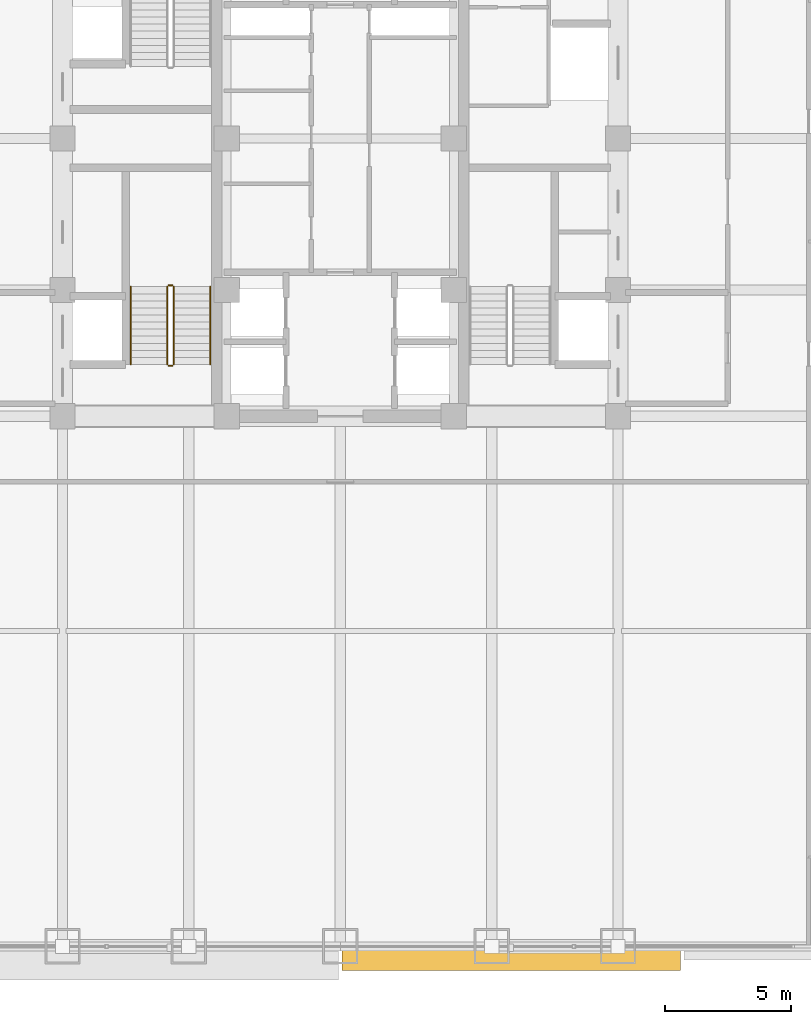
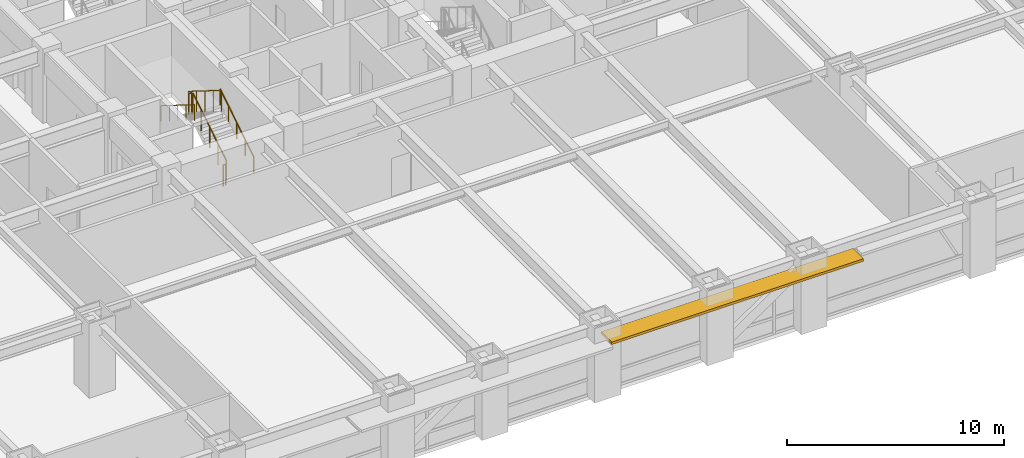
# One storey, part 28 of 31: 6 railings, 1 shading device.
"""IFC4 building model written with IfcOpenShell, lengths in metres."""

from ifc_helpers import new_model, si_unit, direction, frame, origin, origin_2d, place, context, subcontext, project, spatial, rectangle, circle, extrude, source, transform, mapped, material, layer, layer_set, type_object, element, save


model = new_model("IFC4")

# Units and contexts
model_context = context("Model", 3, precision=1e-05, world=origin(), true_north=direction((0.0, 1.0)))
body_context = subcontext(model_context, "Body", "Model", "MODEL_VIEW")
ifc_project = project(units=[si_unit("LENGTHUNIT", "METRE"), si_unit("AREAUNIT", "SQUARE_METRE"), si_unit("VOLUMEUNIT", "CUBIC_METRE"), si_unit("PLANEANGLEUNIT", "RADIAN"), si_unit("MASSUNIT", "GRAM", prefix="KILO")], contexts=[model_context])

# Site, building, storey
site_placement = place(None, origin())
site = spatial("IfcSite", under=ifc_project, at=site_placement, CompositionType="ELEMENT")
building_placement = place(site_placement, origin())
building = spatial("IfcBuilding", under=site, at=building_placement, Name="Khorayat Bourse Tower", CompositionType="ELEMENT")
storey_placement = place(building_placement, frame((0.0, 0.0, 36.800048828125)))
storey = spatial("IfcBuildingStorey", under=building, at=storey_placement, Name="L07", CompositionType="ELEMENT", Elevation=36.800048828125)

# Shading device
ifc_material_1 = material(Name="Precast concrete C45/55", Category="concrete")
ifc_layer = layer(ifc_material_1, 0.139892578125)
ifc_layer_set = layer_set([ifc_layer], Name="Precast concrete C45/55")
shading_device_type = type_object("IfcShadingDeviceType", Name="SHD-WAVE-TRAY-B", PredefinedType="USERDEFINED", material=ifc_layer_set)
shared_shape_1 = source(origin(), body_context, "Body", "SweptSolid", [
    extrude(rectangle(XDim=13.409912109375, YDim=0.976318359375, at=origin_2d()), origin(), (0.0, 0.0, 1.0), 0.139892578125),
])
shading_device_placement = place(storey_placement, frame((6.77490234375, -32.468017578125, 3.18994140625), z_axis=(0.0, 0.0, 1.0), x_axis=(1.0, 0.0, 0.0)))
element("IfcShadingDevice", 1, at=shading_device_placement, inside=storey, type_object=shading_device_type, Name="L07 Sinusoidal Wave Sunshade Tray S-3", ObjectType="SUNSHADE", PredefinedType="USERDEFINED", context=body_context, shape_type="MappedRepresentation", body=[
    mapped(shared_shape_1, transform((0.0, 0.0, 0.0), scale=1.0)),
])

# Railings
ifc_material_2 = material(Name="Powder-coated steel balustrade", Category="steel")
railing_type_1 = type_object("IfcRailingType", Name="RLG-GUARD-1200", PredefinedType="GUARDRAIL", material=ifc_material_2)
shared_shape_2 = source(origin(), body_context, "Body", "SweptSolid", [
    extrude(circle(Radius=0.02392578125, at=origin_2d()), frame((0.0, 0.0, 1.17578125), z_axis=(-1.0, 0.0, 0.0), x_axis=(0.0, -1.0, 0.0)), (0.0, 0.0, 1.0), 0.150146484375),
    extrude(circle(Radius=0.02099609375, at=origin_2d()), origin(), (0.0, 0.0, 1.0), 1.15185546875),
    extrude(circle(Radius=0.02099609375, at=origin_2d()), frame((-0.150146484375, 0.0, 0.0)), (0.0, 0.0, 1.0), 1.15185546875),
])
for number, where, name in (
    (2, (-6.64990234375, -5.820068359375, 2.099853515625), "L07 ST-1 stair guard 2"),
    (3, (-6.64990234375, -9.0, 0.0), "L07 ST-1 stair guard 4"),
):
    element("IfcRailing", number, at=place(storey_placement, frame(where)), inside=storey, type_object=railing_type_1, Name=name, PredefinedType="GUARDRAIL", context=body_context, shape_type="MappedRepresentation", body=[
        mapped(shared_shape_2, transform((0.0, 0.0, 0.0), scale=1.0)),
    ])
shared_shape_3 = source(origin(), body_context, "Body", "SweptSolid", [
    extrude(circle(Radius=0.02392578125, at=origin_2d()), frame((0.0, 0.0, 1.17578125), z_axis=(0.0, -0.847979421464, 0.530029150871), x_axis=(1.0, 0.0, 0.0)), (0.0, 0.0, 1.0), 3.632080078125),
    extrude(circle(Radius=0.02099609375, at=origin_2d()), origin(), (0.0, 0.0, 1.0), 1.15185546875),
    extrude(circle(Radius=0.02099609375, at=origin_2d()), frame((0.0, -0.77001953125, 0.481201171875)), (0.0, 0.0, 1.0), 1.15185546875),
    extrude(circle(Radius=0.02099609375, at=origin_2d()), frame((0.0, -1.5400390625, 0.96240234375)), (0.0, 0.0, 1.0), 1.15185546875),
    extrude(circle(Radius=0.02099609375, at=origin_2d()), frame((0.0, -2.309814453125, 1.44384765625)), (0.0, 0.0, 1.0), 1.15185546875),
    extrude(circle(Radius=0.02099609375, at=origin_2d()), frame((0.0, -3.079833984375, 1.925048828125)), (0.0, 0.0, 1.0), 1.15185546875),
])
railing_1_placement = place(storey_placement, frame((-6.85009765625, -5.8701171875, 2.27490234375)))
element("IfcRailing", 4, at=railing_1_placement, inside=storey, type_object=railing_type_1, Name="L07 ST-1 stair guard 3", PredefinedType="GUARDRAIL", context=body_context, shape_type="MappedRepresentation", body=[
    mapped(shared_shape_3, transform((0.0, 0.0, 0.0), scale=1.0)),
])
ifc_material_3 = material(Name="Brushed bronze stainless-steel handrail", Category="steel")
railing_type_2 = type_object("IfcRailingType", Name="RLG-HAND-900", PredefinedType="HANDRAIL", material=ifc_material_3)
shared_shape_4 = source(origin(), body_context, "Body", "SweptSolid", [
    extrude(circle(Radius=0.02392578125, at=origin_2d()), frame((0.0, 0.0, 0.8759765625), z_axis=(0.0, -0.847979421464, 0.530029150871), x_axis=(1.0, 0.0, 0.0)), (0.0, 0.0, 1.0), 3.632080078125),
    extrude(circle(Radius=0.02099609375, at=origin_2d()), origin(), (0.0, 0.0, 1.0), 0.851806640625),
    extrude(circle(Radius=0.02099609375, at=origin_2d()), frame((0.0, -0.77001953125, 0.481201171875)), (0.0, 0.0, 1.0), 0.851806640625),
    extrude(circle(Radius=0.02099609375, at=origin_2d()), frame((0.0, -1.5400390625, 0.96240234375)), (0.0, 0.0, 1.0), 0.851806640625),
    extrude(circle(Radius=0.02099609375, at=origin_2d()), frame((0.0, -2.309814453125, 1.44384765625)), (0.0, 0.0, 1.0), 0.851806640625),
    extrude(circle(Radius=0.02099609375, at=origin_2d()), frame((0.0, -3.079833984375, 1.925048828125)), (0.0, 0.0, 1.0), 0.851806640625),
])
railing_2_placement = place(storey_placement, frame((-8.300048828125, -5.8701171875, 2.27490234375)))
element("IfcRailing", 5, at=railing_2_placement, inside=storey, type_object=railing_type_2, Name="L07 ST-1 stair handrail 2", PredefinedType="HANDRAIL", context=body_context, shape_type="MappedRepresentation", body=[
    mapped(shared_shape_4, transform((0.0, 0.0, 0.0), scale=1.0)),
])
shared_shape_5 = source(origin(), body_context, "Body", "SweptSolid", [
    extrude(circle(Radius=0.02392578125, at=origin_2d()), frame((0.0, 0.0, 1.17578125), z_axis=(0.0, 0.848009633417, 0.529980812513), x_axis=(-1.0, 0.0, 0.0)), (0.0, 0.0, 1.0), 3.6318359375),
    extrude(circle(Radius=0.02099609375, at=origin_2d()), origin(), (0.0, 0.0, 1.0), 1.15185546875),
    extrude(circle(Radius=0.02099609375, at=origin_2d()), frame((0.0, 0.77001953125, 0.481201171875)), (0.0, 0.0, 1.0), 1.15185546875),
    extrude(circle(Radius=0.02099609375, at=origin_2d()), frame((0.0, 1.5400390625, 0.96240234375)), (0.0, 0.0, 1.0), 1.15185546875),
    extrude(circle(Radius=0.02099609375, at=origin_2d()), frame((0.0, 2.309814453125, 1.443603515625)), (0.0, 0.0, 1.0), 1.15185546875),
    extrude(circle(Radius=0.02099609375, at=origin_2d()), frame((0.0, 3.079833984375, 1.9248046875)), (0.0, 0.0, 1.0), 1.15185546875),
])
railing_3_placement = place(storey_placement, frame((-6.60009765625, -8.949951171875, 0.175048828125)))
element("IfcRailing", 6, at=railing_3_placement, inside=storey, type_object=railing_type_1, Name="L07 ST-1 stair guard 1", PredefinedType="GUARDRAIL", context=body_context, shape_type="MappedRepresentation", body=[
    mapped(shared_shape_5, transform((0.0, 0.0, 0.0), scale=1.0)),
])
shared_shape_6 = source(origin(), body_context, "Body", "SweptSolid", [
    extrude(circle(Radius=0.02392578125, at=origin_2d()), frame((0.0, 0.0, 0.8759765625), z_axis=(0.0, 0.848009633417, 0.529980812513), x_axis=(-1.0, 0.0, 0.0)), (0.0, 0.0, 1.0), 3.6318359375),
    extrude(circle(Radius=0.02099609375, at=origin_2d()), origin(), (0.0, 0.0, 1.0), 0.851806640625),
    extrude(circle(Radius=0.02099609375, at=origin_2d()), frame((0.0, 0.77001953125, 0.481201171875)), (0.0, 0.0, 1.0), 0.851806640625),
    extrude(circle(Radius=0.02099609375, at=origin_2d()), frame((0.0, 1.5400390625, 0.96240234375)), (0.0, 0.0, 1.0), 0.851806640625),
    extrude(circle(Radius=0.02099609375, at=origin_2d()), frame((0.0, 2.309814453125, 1.443603515625)), (0.0, 0.0, 1.0), 0.851806640625),
    extrude(circle(Radius=0.02099609375, at=origin_2d()), frame((0.0, 3.079833984375, 1.9248046875)), (0.0, 0.0, 1.0), 0.851806640625),
])
railing_4_placement = place(storey_placement, frame((-5.14990234375, -8.949951171875, 0.175048828125)))
element("IfcRailing", 7, at=railing_4_placement, inside=storey, type_object=railing_type_2, Name="L07 ST-1 stair handrail 1", PredefinedType="HANDRAIL", context=body_context, shape_type="MappedRepresentation", body=[
    mapped(shared_shape_6, transform((0.0, 0.0, 0.0), scale=1.0)),
])

save(model, "model.ifc")
